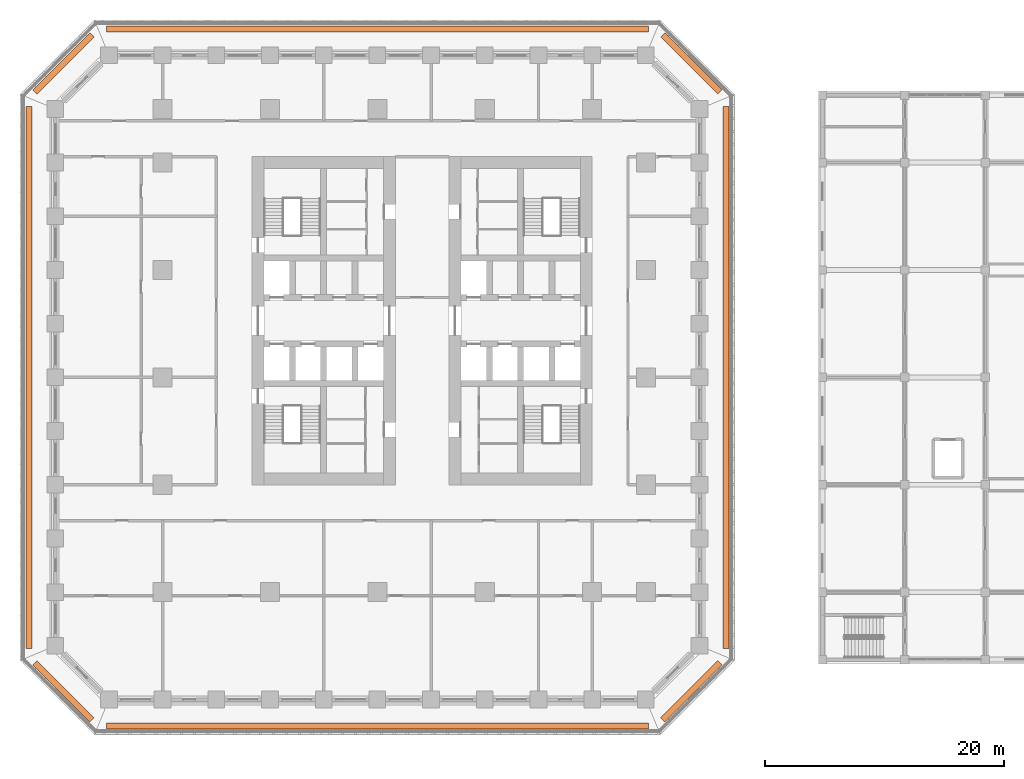
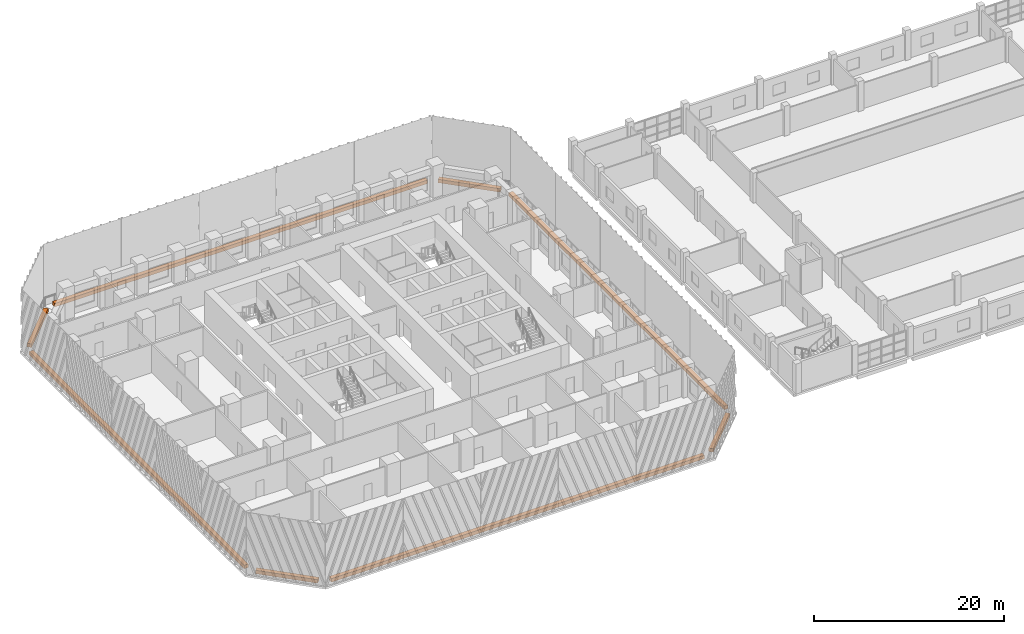
# One storey, part 31 of 31: 8 proxies.
"""IFC4 building model written with IfcOpenShell, lengths in metres."""

from ifc_helpers import new_model, si_unit, direction, frame, origin, origin_2d, place, context, subcontext, project, spatial, rectangle, extrude, material, type_object, element, save


model = new_model("IFC4")

# Units and contexts
model_context = context("Model", 3, precision=1e-05, world=origin(), true_north=direction((0.0, 1.0)))
body_context = subcontext(model_context, "Body", "Model", "MODEL_VIEW")
ifc_project = project(units=[si_unit("LENGTHUNIT", "METRE"), si_unit("AREAUNIT", "SQUARE_METRE"), si_unit("VOLUMEUNIT", "CUBIC_METRE"), si_unit("PLANEANGLEUNIT", "RADIAN"), si_unit("MASSUNIT", "GRAM", prefix="KILO")], contexts=[model_context])

# Site, building, storey
site_placement = place(None, origin())
site = spatial("IfcSite", under=ifc_project, at=site_placement, CompositionType="ELEMENT")
building_placement = place(site_placement, origin())
building = spatial("IfcBuilding", under=site, at=building_placement, Name="Corbel Stack Research Tower", CompositionType="ELEMENT")
storey_placement = place(building_placement, frame((0.0, 0.0, 15.39990234375)))
storey = spatial("IfcBuildingStorey", under=building, at=storey_placement, Name="L03", CompositionType="ELEMENT", Elevation=15.39990234375)

# Proxies
ifc_material = material(Name="Concrete C45/55", Category="concrete")
building_element_proxy_type = type_object("IfcBuildingElementProxyType", Name="Planter box", PredefinedType="USERDEFINED", material=ifc_material)
proxy_1_placement = place(storey_placement, frame((0.0, -29.199951171875, 0.0), z_axis=(0.0, 0.0, 1.0), x_axis=(1.0, 0.0, 0.0)))
element("IfcBuildingElementProxy", 1, at=proxy_1_placement, inside=storey, type_object=building_element_proxy_type, Name="Planter L03 S", ObjectType="PLANTER", PredefinedType="USERDEFINED", context=body_context, shape_type="SweptSolid", body=[
    extrude(rectangle(XDim=45.41064453125, YDim=0.5, at=origin_2d()), origin(), (0.0, 0.0, 1.0), 0.449951171875),
])
proxy_2_placement = place(storey_placement, frame((26.3056640625, -26.3056640625, 0.0), z_axis=(0.0, 0.0, 1.0), x_axis=(0.707106781187, 0.707106781187, 0.0)))
element("IfcBuildingElementProxy", 2, at=proxy_2_placement, inside=storey, type_object=building_element_proxy_type, Name="Planter L03 SE", ObjectType="PLANTER", PredefinedType="USERDEFINED", context=body_context, shape_type="SweptSolid", body=[
    extrude(rectangle(XDim=6.774658203125, YDim=0.5, at=origin_2d()), origin(), (0.0, 0.0, 1.0), 0.449951171875),
])
proxy_3_placement = place(storey_placement, frame((29.199951171875, 0.0, 0.0), z_axis=(0.0, 0.0, 1.0), x_axis=(0.0, 1.0, 0.0)))
element("IfcBuildingElementProxy", 3, at=proxy_3_placement, inside=storey, type_object=building_element_proxy_type, Name="Planter L03 E", ObjectType="PLANTER", PredefinedType="USERDEFINED", context=body_context, shape_type="SweptSolid", body=[
    extrude(rectangle(XDim=45.41064453125, YDim=0.5, at=origin_2d()), origin(), (0.0, 0.0, 1.0), 0.449951171875),
])
proxy_4_placement = place(storey_placement, frame((26.3056640625, 26.3056640625, 0.0), z_axis=(0.0, 0.0, 1.0), x_axis=(-0.707106781187, 0.707106781187, 0.0)))
element("IfcBuildingElementProxy", 4, at=proxy_4_placement, inside=storey, type_object=building_element_proxy_type, Name="Planter L03 NE", ObjectType="PLANTER", PredefinedType="USERDEFINED", context=body_context, shape_type="SweptSolid", body=[
    extrude(rectangle(XDim=6.774658203125, YDim=0.5, at=origin_2d()), origin(), (0.0, 0.0, 1.0), 0.449951171875),
])
proxy_5_placement = place(storey_placement, frame((0.0, 29.199951171875, 0.0), z_axis=(0.0, 0.0, 1.0), x_axis=(-1.0, 0.0, 0.0)))
element("IfcBuildingElementProxy", 5, at=proxy_5_placement, inside=storey, type_object=building_element_proxy_type, Name="Planter L03 N", ObjectType="PLANTER", PredefinedType="USERDEFINED", context=body_context, shape_type="SweptSolid", body=[
    extrude(rectangle(XDim=45.41064453125, YDim=0.5, at=origin_2d()), origin(), (0.0, 0.0, 1.0), 0.449951171875),
])
proxy_6_placement = place(storey_placement, frame((-26.3056640625, 26.3056640625, 0.0), z_axis=(0.0, 0.0, 1.0), x_axis=(-0.707106781187, -0.707106781187, 0.0)))
element("IfcBuildingElementProxy", 6, at=proxy_6_placement, inside=storey, type_object=building_element_proxy_type, Name="Planter L03 NW", ObjectType="PLANTER", PredefinedType="USERDEFINED", context=body_context, shape_type="SweptSolid", body=[
    extrude(rectangle(XDim=6.774658203125, YDim=0.5, at=origin_2d()), origin(), (0.0, 0.0, 1.0), 0.449951171875),
])
proxy_7_placement = place(storey_placement, frame((-29.199951171875, 0.0, 0.0), z_axis=(0.0, 0.0, 1.0), x_axis=(0.0, -1.0, 0.0)))
element("IfcBuildingElementProxy", 7, at=proxy_7_placement, inside=storey, type_object=building_element_proxy_type, Name="Planter L03 W", ObjectType="PLANTER", PredefinedType="USERDEFINED", context=body_context, shape_type="SweptSolid", body=[
    extrude(rectangle(XDim=45.41064453125, YDim=0.5, at=origin_2d()), origin(), (0.0, 0.0, 1.0), 0.449951171875),
])
proxy_8_placement = place(storey_placement, frame((-26.3056640625, -26.3056640625, 0.0), z_axis=(0.0, 0.0, 1.0), x_axis=(0.707106781187, -0.707106781187, 0.0)))
element("IfcBuildingElementProxy", 8, at=proxy_8_placement, inside=storey, type_object=building_element_proxy_type, Name="Planter L03 SW", ObjectType="PLANTER", PredefinedType="USERDEFINED", context=body_context, shape_type="SweptSolid", body=[
    extrude(rectangle(XDim=6.774658203125, YDim=0.5, at=origin_2d()), origin(), (0.0, 0.0, 1.0), 0.449951171875),
])

save(model, "model.ifc")
